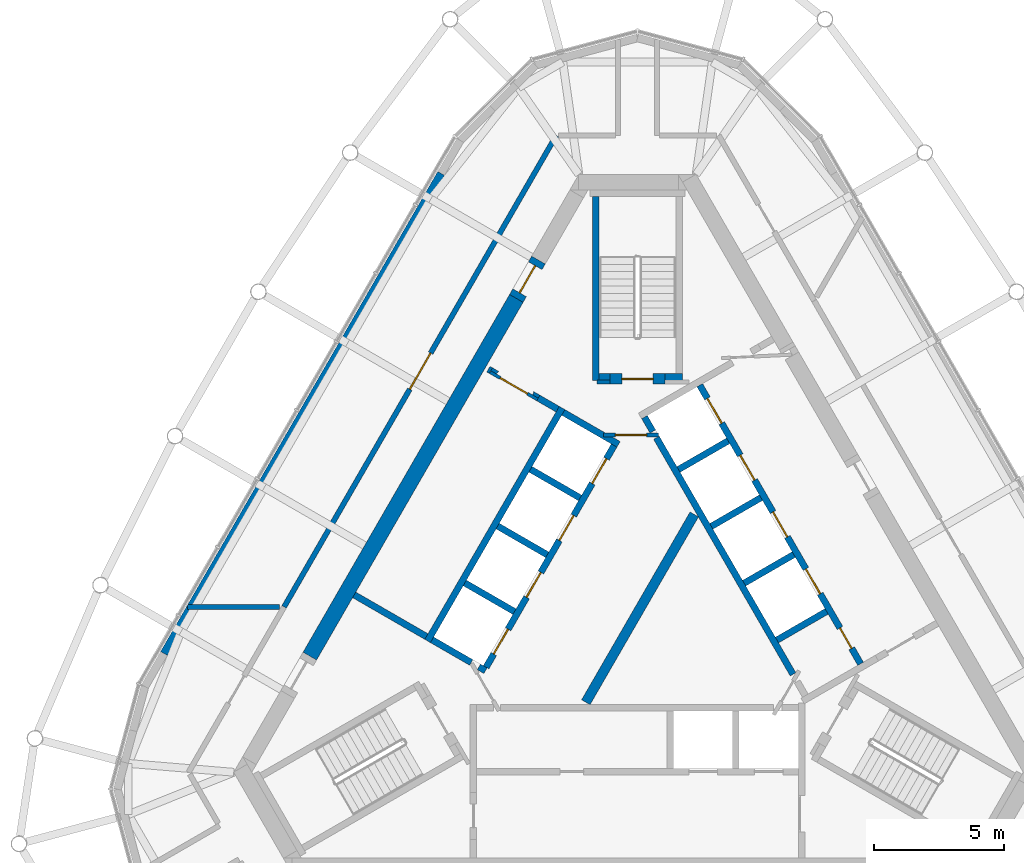
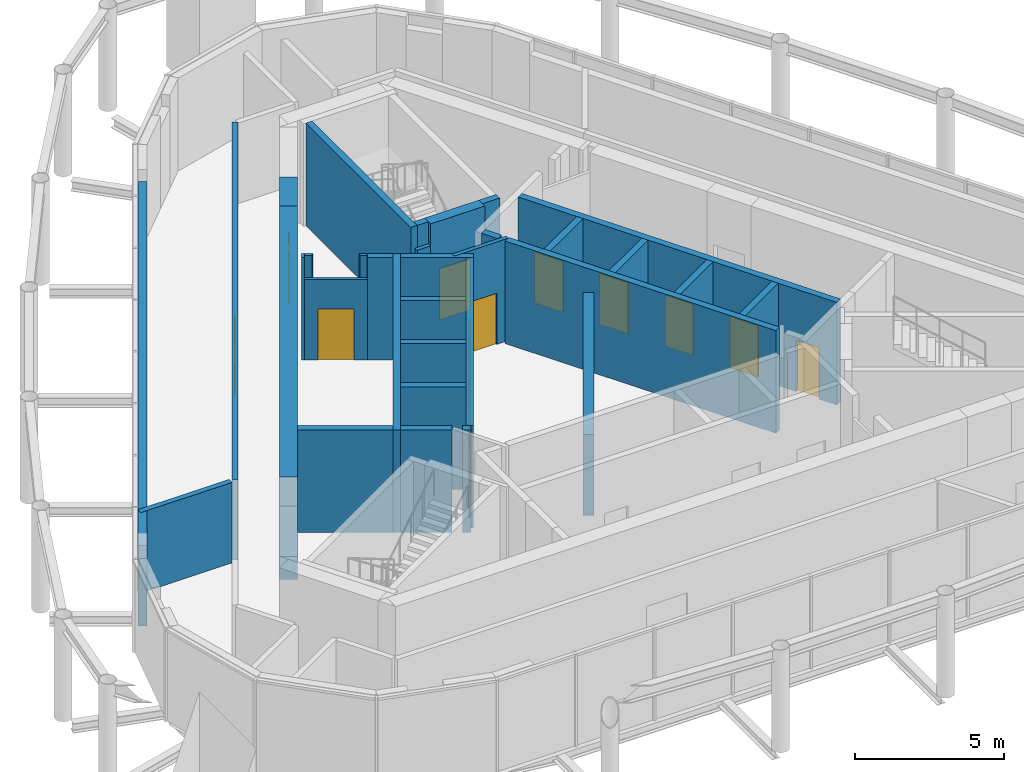
# One storey, part 8 of 11: 33 walls, 14 doors, 14 openings.
"""IFC4 building model written with IfcOpenShell, lengths in metres."""

from ifc_helpers import new_model, si_unit, direction, frame, frame_2d, origin, place, context, subcontext, project, spatial, polyline, rectangle, outline, extrude, material, layer, layer_set, type_object, element, fill, save


model = new_model("IFC4")

# Units and contexts
model_context = context("Model", 3, precision=1e-05, world=origin(), true_north=direction((0.0, 1.0)))
body_context = subcontext(model_context, "Body", "Model", "MODEL_VIEW")
ifc_project = project(units=[si_unit("LENGTHUNIT", "METRE"), si_unit("AREAUNIT", "SQUARE_METRE"), si_unit("VOLUMEUNIT", "CUBIC_METRE"), si_unit("PLANEANGLEUNIT", "RADIAN"), si_unit("MASSUNIT", "GRAM", prefix="KILO")], contexts=[model_context])

# Site, building, storey
site_placement = place(None, origin())
site = spatial("IfcSite", under=ifc_project, at=site_placement, CompositionType="ELEMENT")
building_placement = place(site_placement, origin())
building = spatial("IfcBuilding", under=site, at=building_placement, Name="Mestral Congress Tower", CompositionType="ELEMENT")
storey_placement = place(building_placement, frame((0.0, 0.0, 344.39990234375)))
storey = spatial("IfcBuildingStorey", under=building, at=storey_placement, Name="L80", CompositionType="ELEMENT", Elevation=344.39990234375)

# Walls
ifc_material_1 = material(Name="Fire-rated board partition")
ifc_layer_1 = layer(ifc_material_1, 0.14990234375)
ifc_layer_set_1 = layer_set([ifc_layer_1], Name="Fire-rated board partition")
wall_type_1 = type_object("IfcWallType", Name="Core partition 150", PredefinedType="PARTITIONING", material=ifc_layer_set_1)
wall_1_placement = place(storey_placement, frame((-1.56396484375, 8.62548828125, 0.0), z_axis=(0.0, 0.0, 1.0), x_axis=(1.0, 0.0, 0.0)))
element("IfcWall", 1, at=wall_1_placement, inside=storey, type_object=wall_type_1, Name="L80 core wall", PredefinedType="PARTITIONING", context=body_context, shape_type="SweptSolid", body=[
    extrude(rectangle(XDim=0.513916015625, YDim=0.14990234375, at=frame_2d((0.2568359375, 0.0))), origin(), (0.0, 0.0, 1.0), 3.300048828125),
])
placement = place(storey_placement, origin())
element("IfcWall", 2, at=placement, inside=storey, type_object=wall_type_1, Name="L80 core wall", PredefinedType="PARTITIONING", context=body_context, shape_type="SweptSolid", body=[
    extrude(outline(polyline([(2.016845703125, 3.64306640625), (2.341552734375, 3.45556640625), (-1.822021484375, -3.755615234375), (-2.146728515625, -3.568115234375), (2.016845703125, 3.64306640625)])), origin(), (0.0, 0.0, 1.0), 3.300048828125),
])

# Wall, opening, door
ifc_layer_2 = layer(ifc_material_1, 0.1201171875)
ifc_layer_set_2 = layer_set([ifc_layer_2], Name="Fire-rated board partition")
wall_type_2 = type_object("IfcWallType", Name="Core partition 150 door-wall 120", PredefinedType="PARTITIONING", material=ifc_layer_set_2)
wall_3_placement = place(storey_placement, frame((-5.65869140625, 9.01171875, 0.0), z_axis=(0.0, 0.0, 1.0), x_axis=(0.866009402589, -0.500027713859, 0.0)))
wall_3 = element("IfcWall", 3, at=wall_3_placement, inside=storey, type_object=wall_type_2, Name="L80 door wall", PredefinedType="PARTITIONING", context=body_context, shape_type="SweptSolid", body=[
    extrude(rectangle(XDim=2.10009765625, YDim=0.1201171875, at=frame_2d((1.050048828125, 0.0))), origin(), (0.0, 0.0, 1.0), 3.300048828125),
])
opening_1_placement = place(wall_3_placement, frame((0.449951171875, 0.0, 0.0)))
opening_1 = element("IfcOpeningElement", 4, at=opening_1_placement, cuts=wall_3, Name="Opening LB2-WL2", PredefinedType="OPENING", context=body_context, shape_type="SweptSolid", body=[
    extrude(rectangle(XDim=1.199951171875, YDim=2.10009765625, at=frame_2d((0.60009765625, 1.050048828125))), frame((0.0, 0.070068359375, 0.0), z_axis=(0.0, -1.0, 0.0), x_axis=(1.0, 0.0, 0.0)), (0.0, 0.0, 1.0), 0.14013671875),
])
ifc_material_2 = material(Name="Fire-rated steel door set", Category="steel")
door_type_1 = type_object("IfcDoorType", Name="Core door LB 1200x2100", OperationType="SINGLE_SWING_LEFT", PredefinedType="DOOR", material=ifc_material_2)
door_1_placement = place(opening_1_placement, origin())
door_1 = element("IfcDoor", 5, at=door_1_placement, inside=storey, type_object=door_type_1, Name="Door LB2-WL2", OperationType="SINGLE_SWING_LEFT", OverallHeight=2.10009765625, OverallWidth=1.199951171875, PredefinedType="DOOR", context=body_context, shape_type="SweptSolid", body=[
    extrude(rectangle(XDim=1.199951171875, YDim=2.10009765625, at=frame_2d((0.60009765625, 1.050048828125))), frame((0.0, 0.02490234375, 0.0), z_axis=(0.0, -1.0, 0.0), x_axis=(1.0, 0.0, 0.0)), (0.0, 0.0, 1.0), 0.050048828125),
])
fill(opening_1, door_1)

# Wall
ifc_material_3 = material(Name="Concrete C60/75", Category="concrete")
ifc_layer_3 = layer(ifc_material_3, 0.60009765625)
ifc_layer_set_3 = layer_set([ifc_layer_3], Name="Concrete C60/75")
wall_type_3 = type_object("IfcWallType", Name="Core wall RC 600", PredefinedType="SOLIDWALL", material=ifc_layer_set_3)
wall_4_placement = place(storey_placement, frame((-4.65234375, 11.841796875, 0.0), z_axis=(0.0, 0.0, 1.0), x_axis=(-0.500003640647, -0.866023301845, 0.0)))
element("IfcWall", 6, at=wall_4_placement, inside=storey, type_object=wall_type_3, Name="L80 core wall", PredefinedType="SOLIDWALL", context=body_context, shape_type="SweptSolid", body=[
    extrude(rectangle(XDim=15.8583984375, YDim=0.60009765625, at=frame_2d((7.92919921875, 0.0))), origin(), (0.0, 0.0, 1.0), 4.2001953125),
])

# Wall, opening, door
wall_5_placement = place(storey_placement, frame((-4.65234375, 11.842041015625, 0.0), z_axis=(0.0, 0.0, 1.0), x_axis=(0.500062241894, 0.865989465428, 0.0)))
wall_5 = element("IfcWall", 7, at=wall_5_placement, inside=storey, type_object=wall_type_3, Name="L80 door wall", PredefinedType="SOLIDWALL", context=body_context, shape_type="SweptSolid", body=[
    extrude(rectangle(XDim=1.699951171875, YDim=0.60009765625, at=frame_2d((0.85009765625, 0.0))), origin(), (0.0, 0.0, 1.0), 4.2001953125),
])
opening_2_placement = place(wall_5_placement, frame((0.25, 0.0, 0.0)))
opening_2 = element("IfcOpeningElement", 8, at=opening_2_placement, cuts=wall_5, Name="Opening XD2", PredefinedType="OPENING", context=body_context, shape_type="SweptSolid", body=[
    extrude(rectangle(XDim=1.199951171875, YDim=2.10009765625, at=frame_2d((0.60009765625, 1.050048828125))), frame((0.0, 0.31005859375, 0.0), z_axis=(0.0, -1.0, 0.0), x_axis=(1.0, 0.0, 0.0)), (0.0, 0.0, 1.0), 0.6201171875),
])
door_type_2 = type_object("IfcDoorType", Name="Core door XD 1200x2100", OperationType="SINGLE_SWING_LEFT", PredefinedType="DOOR", material=ifc_material_2)
door_2_placement = place(opening_2_placement, origin())
door_2 = element("IfcDoor", 9, at=door_2_placement, inside=storey, type_object=door_type_2, Name="Door XD2", OperationType="SINGLE_SWING_LEFT", OverallHeight=2.10009765625, OverallWidth=1.199951171875, PredefinedType="DOOR", context=body_context, shape_type="SweptSolid", body=[
    extrude(rectangle(XDim=1.199951171875, YDim=2.10009765625, at=frame_2d((0.60009765625, 1.050048828125))), frame((0.0, 0.02490234375, 0.0), z_axis=(0.0, -1.0, 0.0), x_axis=(1.0, 0.0, 0.0)), (0.0, 0.0, 1.0), 0.050048828125),
])
fill(opening_2, door_2)

# Walls
ifc_material_4 = material(Name="Precast concrete C40/50 with limestone facing", Category="masonry")
ifc_layer_4 = layer(ifc_material_4, 0.300048828125)
ifc_layer_set_4 = layer_set([ifc_layer_4], Name="Precast concrete C40/50 with limestone facing")
wall_type_4 = type_object("IfcWallType", Name="Crown plant block wall 300 under girder", PredefinedType="SOLIDWALL", material=ifc_layer_set_4)
wall_6_placement = place(storey_placement, frame((-7.5400390625, 16.64013671875, 0.0), z_axis=(0.0, 0.0, 1.0), x_axis=(-0.500002158106, -0.866024157798, 0.0)))
element("IfcWall", 10, at=wall_6_placement, inside=storey, type_object=wall_type_4, Name="Plant block wall 10", PredefinedType="SOLIDWALL", context=body_context, shape_type="SweptSolid", body=[
    extrude(rectangle(XDim=21.28173828125, YDim=0.300048828125, at=frame_2d((10.640869140625, 0.0))), origin(), (0.0, 0.0, 1.0), 3.300048828125),
])
ifc_layer_5 = layer(ifc_material_3, 0.25)
ifc_layer_set_5 = layer_set([ifc_layer_5], Name="Concrete C60/75")
wall_type_5 = type_object("IfcWallType", Name="Shaft wall RC 250", PredefinedType="SOLIDWALL", material=ifc_layer_set_5)
wall_7_placement = place(storey_placement, frame((0.268310546875, 7.28515625, 0.0), z_axis=(0.0, 0.0, 1.0), x_axis=(0.500098681536, -0.865968422476, 0.0)))
element("IfcWall", 11, at=wall_7_placement, inside=storey, type_object=wall_type_5, Name="L80 core wall", PredefinedType="SOLIDWALL", context=body_context, shape_type="SweptSolid", body=[
    extrude(rectangle(XDim=0.636474609375, YDim=0.25, at=frame_2d((0.318359375, 0.0))), origin(), (0.0, 0.0, 1.0), 4.2001953125),
])
wall_8_placement = place(storey_placement, frame((5.970458984375, -2.591064453125, 0.0), z_axis=(0.0, 0.0, 1.0), x_axis=(-0.499994469932, 0.866028596547, 0.0)))
element("IfcWall", 12, at=wall_8_placement, inside=storey, type_object=wall_type_5, Name="L80 core wall", PredefinedType="SOLIDWALL", context=body_context, shape_type="SweptSolid", body=[
    extrude(rectangle(XDim=10.48828125, YDim=0.25, at=frame_2d((5.244140625, 0.0))), origin(), (0.0, 0.0, 1.0), 4.2001953125),
])
wall_9_placement = place(storey_placement, frame((1.57421875, 5.273681640625, 0.0), z_axis=(0.0, 0.0, 1.0), x_axis=(0.866028486751, 0.499994660107, 0.0)))
element("IfcWall", 13, at=wall_9_placement, inside=storey, type_object=wall_type_5, Name="L80 core wall", PredefinedType="SOLIDWALL", context=body_context, shape_type="SweptSolid", body=[
    extrude(rectangle(XDim=2.19970703125, YDim=0.25, at=frame_2d((1.099853515625, 0.0))), origin(), (0.0, 0.0, 1.0), 4.2001953125),
])
for number, where, z_axis, x_axis, name in (
    (14, (2.833984375, 3.091064453125, 0.0), (0.0, 0.0, 1.0), (0.866008176907, 0.50002983664, 0.0), "L80 core wall"),
    (15, (4.093994140625, 0.90869140625, 0.0), (0.0, 0.0, 1.0), (0.866008176907, 0.50002983664, 0.0), "L80 core wall"),
    (16, (5.35400390625, -1.273681640625, 0.0), (0.0, 0.0, 1.0), (0.866008176907, 0.50002983664, 0.0), "L80 core wall"),
):
    element("IfcWall", number, at=place(storey_placement, frame(where, z_axis=z_axis, x_axis=x_axis)), inside=storey, type_object=wall_type_5, Name=name, PredefinedType="SOLIDWALL", context=body_context, shape_type="SweptSolid", body=[
        extrude(rectangle(XDim=2.199951171875, YDim=0.25, at=frame_2d((1.10009765625, 0.0))), origin(), (0.0, 0.0, 1.0), 4.2001953125),
    ])
wall_10_placement = place(storey_placement, frame((-8.06005859375, -1.310546875, 0.0), z_axis=(0.0, 0.0, 1.0), x_axis=(0.50000273126, 0.866023826885, 0.0)))
element("IfcWall", 17, at=wall_10_placement, inside=storey, type_object=wall_type_5, Name="L80 core wall", PredefinedType="SOLIDWALL", context=body_context, shape_type="SweptSolid", body=[
    extrude(rectangle(XDim=10.330078125, YDim=0.25, at=frame_2d((5.1650390625, 0.0))), origin(), (0.0, 0.0, 1.0), 4.2001953125),
])
element("IfcWall", 18, at=placement, inside=storey, type_object=wall_type_5, Name="L80 core wall", PredefinedType="SOLIDWALL", context=body_context, shape_type="SweptSolid", body=[
    extrude(outline(polyline([(-2.911865234375, 7.3564453125), (-2.786865234375, 7.572998046875), (-1.231689453125, 6.675048828125), (-1.303466796875, 6.675048828125), (-1.3037109375, 6.675048828125), (-1.3037109375, 6.675048828125), (-1.3037109375, 6.52490234375), (-1.3037109375, 6.52490234375), (-1.303466796875, 6.52490234375), (-0.971435546875, 6.52490234375), (-0.6650390625, 6.347900390625), (-0.7900390625, 6.131591796875), (-1.006591796875, 6.256591796875), (-1.006591796875, 6.256591796875), (-2.911865234375, 7.3564453125)])), origin(), (0.0, 0.0, 1.0), 4.2001953125),
])
for number, where, z_axis, x_axis, name in (
    (19, (-2.2041015625, 4.182373046875, 0.0), (0.0, 0.0, 1.0), (-0.866008176907, 0.50002983664, 0.0), "L80 core wall"),
    (20, (-5.369384765625, 3.10009765625, 0.0), (0.0, 0.0, 1.0), (0.866008176907, -0.50002983664, 0.0), "L80 core wall"),
    (21, (-4.72412109375, -0.182373046875, 0.0), (0.0, 0.0, 1.0), (-0.866008176907, 0.50002983664, 0.0), "L80 core wall"),
):
    element("IfcWall", number, at=place(storey_placement, frame(where, z_axis=z_axis, x_axis=x_axis)), inside=storey, type_object=wall_type_5, Name=name, PredefinedType="SOLIDWALL", context=body_context, shape_type="SweptSolid", body=[
        extrude(rectangle(XDim=2.199951171875, YDim=0.25, at=frame_2d((1.10009765625, 0.0))), origin(), (0.0, 0.0, 1.0), 4.2001953125),
    ])
wall_12_placement = place(storey_placement, frame((-6.088134765625, -2.3046875, 0.0), z_axis=(0.0, 0.0, 1.0), x_axis=(0.866059450854, -0.499941024108, 0.0)))
element("IfcWall", 22, at=wall_12_placement, inside=storey, type_object=wall_type_5, Name="L80 core wall", PredefinedType="SOLIDWALL", context=body_context, shape_type="SweptSolid", body=[
    extrude(rectangle(XDim=0.2900390625, YDim=0.25, at=frame_2d((0.14501953125, 0.0))), origin(), (0.0, 0.0, 1.0), 4.2001953125),
])
wall_13_placement = place(storey_placement, frame((-7.889404296875, -1.2646484375, 0.0), z_axis=(0.0, 0.0, 1.0), x_axis=(0.865986741702, -0.500066958712, 0.0)))
element("IfcWall", 23, at=wall_13_placement, inside=storey, type_object=wall_type_5, Name="L80 core wall", PredefinedType="SOLIDWALL", context=body_context, shape_type="SweptSolid", body=[
    extrude(rectangle(XDim=1.738037109375, YDim=0.25, at=frame_2d((0.869140625, 0.0))), origin(), (0.0, 0.0, 1.0), 4.2001953125),
])
wall_14_placement = place(storey_placement, frame((-8.10595703125, -1.139892578125, 0.0), z_axis=(0.0, 0.0, 1.0), x_axis=(-0.866008981251, 0.500028443584, 0.0)))
element("IfcWall", 24, at=wall_14_placement, inside=storey, type_object=wall_type_5, Name="L80 core wall", PredefinedType="SOLIDWALL", context=body_context, shape_type="SweptSolid", body=[
    extrude(rectangle(XDim=3.199951171875, YDim=0.25, at=frame_2d((1.60009765625, 0.0))), origin(), (0.0, 0.0, 1.0), 4.2001953125),
])
wall_15_placement = place(storey_placement, frame((-5.724609375, 9.124755859375, 0.0), z_axis=(0.0, 0.0, 1.0), x_axis=(0.866185586049, -0.49972245349, 0.0)))
element("IfcWall", 25, at=wall_15_placement, inside=storey, type_object=wall_type_5, Name="L80 core wall", PredefinedType="SOLIDWALL", context=body_context, shape_type="SweptSolid", body=[
    extrude(rectangle(XDim=0.10986328125, YDim=0.25, at=frame_2d((0.054931640625, 0.0))), origin(), (0.0, 0.0, 1.0), 4.2001953125),
])
wall_16_placement = place(storey_placement, frame((-3.06591796875, 7.58984375, 0.0), z_axis=(0.0, 0.0, 1.0), x_axis=(-0.866081358704, 0.49990307071, 0.0)))
element("IfcWall", 26, at=wall_16_placement, inside=storey, type_object=wall_type_5, Name="L80 core wall", PredefinedType="SOLIDWALL", context=body_context, shape_type="SweptSolid", body=[
    extrude(rectangle(XDim=0.858154296875, YDim=0.25, at=frame_2d((0.42919921875, 0.0))), origin(), (0.0, 0.0, 1.0), 4.2001953125),
])
element("IfcWall", 27, at=placement, inside=storey, type_object=wall_type_5, Name="L80 core wall", PredefinedType="SOLIDWALL", context=body_context, shape_type="SweptSolid", body=[
    extrude(outline(polyline([(-3.748291015625, 8.1279296875), (-3.813232421875, 8.015380859375), (-4.026611328125, 8.138671875), (-4.0166015625, 8.156005859375), (-4.007568359375, 8.17333984375), (-4.000244140625, 8.191650390625), (-3.994873046875, 8.21044921875), (-3.991455078125, 8.229736328125), (-3.98974609375, 8.24951171875), (-3.989990234375, 8.267578125), (-3.748291015625, 8.1279296875)])), origin(), (0.0, 0.0, 1.0), 4.2001953125),
])
element("IfcWall", 28, at=placement, inside=storey, type_object=wall_type_5, Name="L80 core wall", PredefinedType="SOLIDWALL", context=body_context, shape_type="SweptSolid", body=[
    extrude(outline(polyline([(-5.688720703125, 8.959716796875), (-5.690185546875, 8.960693359375), (-5.565185546875, 9.177001953125), (-5.318603515625, 9.03466796875), (-5.334716796875, 9.02587890625), (-5.3505859375, 9.0146484375), (-5.36572265625, 9.001953125), (-5.37939453125, 8.98779296875), (-5.3916015625, 8.972412109375), (-5.402099609375, 8.955810546875), (-5.412109375, 8.938720703125), (-5.628662109375, 9.063720703125), (-5.628662109375, 9.063720703125), (-5.688720703125, 8.959716796875)])), origin(), (0.0, 0.0, 1.0), 4.2001953125),
])

# Wall, openings, doors
wall_19_placement = place(storey_placement, frame((8.565185546875, -2.185302734375, 0.0), z_axis=(0.0, 0.0, 1.0), x_axis=(-0.499997954832, 0.866026584559, 0.0)))
wall_19 = element("IfcWall", 29, at=wall_19_placement, inside=storey, type_object=wall_type_5, Name="L80 door wall", PredefinedType="SOLIDWALL", context=body_context, shape_type="SweptSolid", body=[
    extrude(rectangle(XDim=12.35009765625, YDim=0.25, at=frame_2d((6.175048828125, 0.0))), origin(), (0.0, 0.0, 1.0), 4.2001953125),
])
opening_3_placement = place(wall_19_placement, frame((0.68505859375, 0.0, 0.0)))
opening_3 = element("IfcOpeningElement", 30, at=opening_3_placement, cuts=wall_19, Name="Opening SR-NEB1", PredefinedType="OPENING", context=body_context, shape_type="SweptSolid", body=[
    extrude(rectangle(XDim=0.89990234375, YDim=2.10009765625, at=frame_2d((0.449951171875, 1.050048828125))), frame((0.0, 0.135009765625, 0.0), z_axis=(0.0, -1.0, 0.0), x_axis=(1.0, 0.0, 0.0)), (0.0, 0.0, 1.0), 0.27001953125),
])
opening_4_placement = place(wall_19_placement, frame((3.10498046875, 0.0, 0.0)))
opening_4 = element("IfcOpeningElement", 31, at=opening_4_placement, cuts=wall_19, Name="Opening LD-NEB2", PredefinedType="OPENING", context=body_context, shape_type="SweptSolid", body=[
    extrude(rectangle(XDim=1.10009765625, YDim=2.10009765625, at=frame_2d((0.550048828125, 1.050048828125))), frame((0.0, 0.135009765625, 0.0), z_axis=(0.0, -1.0, 0.0), x_axis=(1.0, 0.0, 0.0)), (0.0, 0.0, 1.0), 0.27001953125),
])
opening_5_placement = place(wall_19_placement, frame((5.625, 0.0, 0.0)))
opening_5 = element("IfcOpeningElement", 32, at=opening_5_placement, cuts=wall_19, Name="Opening LD-NEB3", PredefinedType="OPENING", context=body_context, shape_type="SweptSolid", body=[
    extrude(rectangle(XDim=1.10009765625, YDim=2.10009765625, at=frame_2d((0.550048828125, 1.050048828125))), frame((0.0, 0.135009765625, 0.0), z_axis=(0.0, -1.0, 0.0), x_axis=(1.0, 0.0, 0.0)), (0.0, 0.0, 1.0), 0.27001953125),
])
opening_6_placement = place(wall_19_placement, frame((8.14501953125, 0.0, 0.0)))
opening_6 = element("IfcOpeningElement", 33, at=opening_6_placement, cuts=wall_19, Name="Opening LD-NEB4", PredefinedType="OPENING", context=body_context, shape_type="SweptSolid", body=[
    extrude(rectangle(XDim=1.10009765625, YDim=2.10009765625, at=frame_2d((0.550048828125, 1.050048828125))), frame((0.0, 0.135009765625, 0.0), z_axis=(0.0, -1.0, 0.0), x_axis=(1.0, 0.0, 0.0)), (0.0, 0.0, 1.0), 0.27001953125),
])
opening_7_placement = place(wall_19_placement, frame((10.6650390625, 0.0, 0.0)))
opening_7 = element("IfcOpeningElement", 34, at=opening_7_placement, cuts=wall_19, Name="Opening LD-NEB5", PredefinedType="OPENING", context=body_context, shape_type="SweptSolid", body=[
    extrude(rectangle(XDim=1.10009765625, YDim=2.10009765625, at=frame_2d((0.550048828125, 1.050048828125))), frame((0.0, 0.135009765625, 0.0), z_axis=(0.0, -1.0, 0.0), x_axis=(1.0, 0.0, 0.0)), (0.0, 0.0, 1.0), 0.27001953125),
])
door_type_3 = type_object("IfcDoorType", Name="Core door LD 1100x2100", OperationType="DOUBLE_DOOR_SLIDING", PredefinedType="DOOR", material=ifc_material_2)
door_3_placement = place(opening_4_placement, origin())
door_3 = element("IfcDoor", 35, at=door_3_placement, inside=storey, type_object=door_type_3, Name="Door LD-NEB2", OperationType="DOUBLE_DOOR_SLIDING", OverallHeight=2.10009765625, OverallWidth=1.10009765625, PredefinedType="DOOR", context=body_context, shape_type="SweptSolid", body=[
    extrude(rectangle(XDim=1.10009765625, YDim=2.10009765625, at=frame_2d((0.550048828125, 1.050048828125))), frame((0.0, 0.02490234375, 0.0), z_axis=(0.0, -1.0, 0.0), x_axis=(1.0, 0.0, 0.0)), (0.0, 0.0, 1.0), 0.050048828125),
])
fill(opening_4, door_3)
door_4_placement = place(opening_5_placement, origin())
door_4 = element("IfcDoor", 36, at=door_4_placement, inside=storey, type_object=door_type_3, Name="Door LD-NEB3", OperationType="DOUBLE_DOOR_SLIDING", OverallHeight=2.10009765625, OverallWidth=1.10009765625, PredefinedType="DOOR", context=body_context, shape_type="SweptSolid", body=[
    extrude(rectangle(XDim=1.10009765625, YDim=2.10009765625, at=frame_2d((0.550048828125, 1.050048828125))), frame((0.0, 0.02490234375, 0.0), z_axis=(0.0, -1.0, 0.0), x_axis=(1.0, 0.0, 0.0)), (0.0, 0.0, 1.0), 0.050048828125),
])
fill(opening_5, door_4)
door_5_placement = place(opening_6_placement, origin())
door_5 = element("IfcDoor", 37, at=door_5_placement, inside=storey, type_object=door_type_3, Name="Door LD-NEB4", OperationType="DOUBLE_DOOR_SLIDING", OverallHeight=2.10009765625, OverallWidth=1.10009765625, PredefinedType="DOOR", context=body_context, shape_type="SweptSolid", body=[
    extrude(rectangle(XDim=1.10009765625, YDim=2.10009765625, at=frame_2d((0.550048828125, 1.050048828125))), frame((0.0, 0.02490234375, 0.0), z_axis=(0.0, -1.0, 0.0), x_axis=(1.0, 0.0, 0.0)), (0.0, 0.0, 1.0), 0.050048828125),
])
fill(opening_6, door_5)
door_6_placement = place(opening_7_placement, origin())
door_6 = element("IfcDoor", 38, at=door_6_placement, inside=storey, type_object=door_type_3, Name="Door LD-NEB5", OperationType="DOUBLE_DOOR_SLIDING", OverallHeight=2.10009765625, OverallWidth=1.10009765625, PredefinedType="DOOR", context=body_context, shape_type="SweptSolid", body=[
    extrude(rectangle(XDim=1.10009765625, YDim=2.10009765625, at=frame_2d((0.550048828125, 1.050048828125))), frame((0.0, 0.02490234375, 0.0), z_axis=(0.0, -1.0, 0.0), x_axis=(1.0, 0.0, 0.0)), (0.0, 0.0, 1.0), 0.050048828125),
])
fill(opening_7, door_6)
door_type_4 = type_object("IfcDoorType", Name="Core door SR 900x2100", OperationType="SINGLE_SWING_LEFT", PredefinedType="DOOR", material=ifc_material_2)
door_7_placement = place(opening_3_placement, origin())
door_7 = element("IfcDoor", 39, at=door_7_placement, inside=storey, type_object=door_type_4, Name="Door SR-NEB1", OperationType="SINGLE_SWING_LEFT", OverallHeight=2.10009765625, OverallWidth=0.89990234375, PredefinedType="DOOR", context=body_context, shape_type="SweptSolid", body=[
    extrude(rectangle(XDim=0.89990234375, YDim=2.10009765625, at=frame_2d((0.449951171875, 1.050048828125))), frame((0.0, 0.02490234375, 0.0), z_axis=(0.0, -1.0, 0.0), x_axis=(1.0, 0.0, 0.0)), (0.0, 0.0, 1.0), 0.050048828125),
])
fill(opening_3, door_7)

wall_20_placement = place(storey_placement, frame((-0.898193359375, 6.194091796875, 0.0), z_axis=(0.0, 0.0, 1.0), x_axis=(-0.499996202215, -0.866027596426, 0.0)))
wall_20 = element("IfcWall", 40, at=wall_20_placement, inside=storey, type_object=wall_type_5, Name="L80 door wall", PredefinedType="SOLIDWALL", context=body_context, shape_type="SweptSolid", body=[
    extrude(rectangle(XDim=9.830078125, YDim=0.25, at=frame_2d((4.9150390625, 0.0))), origin(), (0.0, 0.0, 1.0), 4.2001953125),
])
opening_8_placement = place(wall_20_placement, frame((0.5849609375, 0.0, 0.0)))
opening_8 = element("IfcOpeningElement", 41, at=opening_8_placement, cuts=wall_20, Name="Opening LD-NWB1", PredefinedType="OPENING", context=body_context, shape_type="SweptSolid", body=[
    extrude(rectangle(XDim=1.10009765625, YDim=2.10009765625, at=frame_2d((0.550048828125, 1.050048828125))), frame((0.0, 0.135009765625, 0.0), z_axis=(0.0, -1.0, 0.0), x_axis=(1.0, 0.0, 0.0)), (0.0, 0.0, 1.0), 0.27001953125),
])
opening_9_placement = place(wall_20_placement, frame((3.10498046875, 0.0, 0.0)))
opening_9 = element("IfcOpeningElement", 42, at=opening_9_placement, cuts=wall_20, Name="Opening LD-NWB2", PredefinedType="OPENING", context=body_context, shape_type="SweptSolid", body=[
    extrude(rectangle(XDim=1.10009765625, YDim=2.10009765625, at=frame_2d((0.550048828125, 1.050048828125))), frame((0.0, 0.135009765625, 0.0), z_axis=(0.0, -1.0, 0.0), x_axis=(1.0, 0.0, 0.0)), (0.0, 0.0, 1.0), 0.27001953125),
])
opening_10_placement = place(wall_20_placement, frame((5.625, 0.0, 0.0)))
opening_10 = element("IfcOpeningElement", 43, at=opening_10_placement, cuts=wall_20, Name="Opening LD-NWB3", PredefinedType="OPENING", context=body_context, shape_type="SweptSolid", body=[
    extrude(rectangle(XDim=1.10009765625, YDim=2.10009765625, at=frame_2d((0.550048828125, 1.050048828125))), frame((0.0, 0.135009765625, 0.0), z_axis=(0.0, -1.0, 0.0), x_axis=(1.0, 0.0, 0.0)), (0.0, 0.0, 1.0), 0.27001953125),
])
opening_11_placement = place(wall_20_placement, frame((8.14501953125, 0.0, 0.0)))
opening_11 = element("IfcOpeningElement", 44, at=opening_11_placement, cuts=wall_20, Name="Opening LD-NWB4", PredefinedType="OPENING", context=body_context, shape_type="SweptSolid", body=[
    extrude(rectangle(XDim=1.10009765625, YDim=2.10009765625, at=frame_2d((0.550048828125, 1.050048828125))), frame((0.0, 0.135009765625, 0.0), z_axis=(0.0, -1.0, 0.0), x_axis=(1.0, 0.0, 0.0)), (0.0, 0.0, 1.0), 0.27001953125),
])
door_8_placement = place(opening_8_placement, origin())
door_8 = element("IfcDoor", 45, at=door_8_placement, inside=storey, type_object=door_type_3, Name="Door LD-NWB1", OperationType="DOUBLE_DOOR_SLIDING", OverallHeight=2.10009765625, OverallWidth=1.10009765625, PredefinedType="DOOR", context=body_context, shape_type="SweptSolid", body=[
    extrude(rectangle(XDim=1.10009765625, YDim=2.10009765625, at=frame_2d((0.550048828125, 1.050048828125))), frame((0.0, 0.02490234375, 0.0), z_axis=(0.0, -1.0, 0.0), x_axis=(1.0, 0.0, 0.0)), (0.0, 0.0, 1.0), 0.050048828125),
])
fill(opening_8, door_8)
door_9_placement = place(opening_9_placement, origin())
door_9 = element("IfcDoor", 46, at=door_9_placement, inside=storey, type_object=door_type_3, Name="Door LD-NWB2", OperationType="DOUBLE_DOOR_SLIDING", OverallHeight=2.10009765625, OverallWidth=1.10009765625, PredefinedType="DOOR", context=body_context, shape_type="SweptSolid", body=[
    extrude(rectangle(XDim=1.10009765625, YDim=2.10009765625, at=frame_2d((0.550048828125, 1.050048828125))), frame((0.0, 0.02490234375, 0.0), z_axis=(0.0, -1.0, 0.0), x_axis=(1.0, 0.0, 0.0)), (0.0, 0.0, 1.0), 0.050048828125),
])
fill(opening_9, door_9)
door_10_placement = place(opening_10_placement, origin())
door_10 = element("IfcDoor", 47, at=door_10_placement, inside=storey, type_object=door_type_3, Name="Door LD-NWB3", OperationType="DOUBLE_DOOR_SLIDING", OverallHeight=2.10009765625, OverallWidth=1.10009765625, PredefinedType="DOOR", context=body_context, shape_type="SweptSolid", body=[
    extrude(rectangle(XDim=1.10009765625, YDim=2.10009765625, at=frame_2d((0.550048828125, 1.050048828125))), frame((0.0, 0.02490234375, 0.0), z_axis=(0.0, -1.0, 0.0), x_axis=(1.0, 0.0, 0.0)), (0.0, 0.0, 1.0), 0.050048828125),
])
fill(opening_10, door_10)
door_11_placement = place(opening_11_placement, origin())
door_11 = element("IfcDoor", 48, at=door_11_placement, inside=storey, type_object=door_type_3, Name="Door LD-NWB4", OperationType="DOUBLE_DOOR_SLIDING", OverallHeight=2.10009765625, OverallWidth=1.10009765625, PredefinedType="DOOR", context=body_context, shape_type="SweptSolid", body=[
    extrude(rectangle(XDim=1.10009765625, YDim=2.10009765625, at=frame_2d((0.550048828125, 1.050048828125))), frame((0.0, 0.02490234375, 0.0), z_axis=(0.0, -1.0, 0.0), x_axis=(1.0, 0.0, 0.0)), (0.0, 0.0, 1.0), 0.050048828125),
])
fill(opening_11, door_11)

# Wall, opening, door
ifc_layer_6 = layer(ifc_material_3, 0.14990234375)
ifc_layer_set_6 = layer_set([ifc_layer_6], Name="Concrete C60/75")
wall_type_6 = type_object("IfcWallType", Name="Shaft wall RC 250 door-wall 150", PredefinedType="SOLIDWALL", material=ifc_layer_set_6)
wall_21_placement = place(storey_placement, frame((-1.303466796875, 6.60009765625, 0.0), z_axis=(0.0, 0.0, 1.0), x_axis=(1.0, 0.0, 0.0)))
wall_21 = element("IfcWall", 49, at=wall_21_placement, inside=storey, type_object=wall_type_6, Name="L80 door wall", PredefinedType="PARTITIONING", context=body_context, shape_type="SweptSolid", body=[
    extrude(rectangle(XDim=2.099853515625, YDim=0.14990234375, at=frame_2d((1.0498046875, 0.0))), origin(), (0.0, 0.0, 1.0), 4.2001953125),
])
opening_12_placement = place(wall_21_placement, frame((0.449951171875, 0.0, 0.0)))
opening_12 = element("IfcOpeningElement", 50, at=opening_12_placement, cuts=wall_21, Name="Opening CD2-FF", PredefinedType="OPENING", context=body_context, shape_type="SweptSolid", body=[
    extrude(rectangle(XDim=1.199951171875, YDim=2.10009765625, at=frame_2d((0.60009765625, 1.050048828125))), frame((0.0, 0.0849609375, 0.0), z_axis=(0.0, -1.0, 0.0), x_axis=(1.0, 0.0, 0.0)), (0.0, 0.0, 1.0), 0.169921875),
])
door_type_5 = type_object("IfcDoorType", Name="Core door CD 1200x2100", OperationType="SINGLE_SWING_LEFT", PredefinedType="DOOR", material=ifc_material_2)
door_12_placement = place(opening_12_placement, origin())
door_12 = element("IfcDoor", 51, at=door_12_placement, inside=storey, type_object=door_type_5, Name="Door CD2-FF", OperationType="SINGLE_SWING_LEFT", OverallHeight=2.10009765625, OverallWidth=1.199951171875, PredefinedType="DOOR", context=body_context, shape_type="SweptSolid", body=[
    extrude(rectangle(XDim=1.199951171875, YDim=2.10009765625, at=frame_2d((0.60009765625, 1.050048828125))), frame((0.0, 0.02490234375, 0.0), z_axis=(0.0, -1.0, 0.0), x_axis=(1.0, 0.0, 0.0)), (0.0, 0.0, 1.0), 0.050048828125),
])
fill(opening_12, door_12)

ifc_material_5 = material(Name="Concrete block wall, plastered", Category="concrete")
ifc_layer_7 = layer(ifc_material_5, 0.199951171875)
ifc_layer_set_7 = layer_set([ifc_layer_7], Name="Concrete block wall, plastered")
wall_type_7 = type_object("IfcWallType", Name="Special partition 200 EI 120", PredefinedType="PARTITIONING", material=ifc_layer_set_7)
wall_22_placement = place(storey_placement, frame((-3.11767578125, 18.10009765625, 0.0), z_axis=(0.0, 0.0, 1.0), x_axis=(-0.499998496574, -0.866026271786, 0.0)))
wall_22 = element("IfcWall", 52, at=wall_22_placement, inside=storey, type_object=wall_type_7, Name="Partition", PredefinedType="PARTITIONING", context=body_context, shape_type="SweptSolid", body=[
    extrude(rectangle(XDim=20.900390625, YDim=0.199951171875, at=frame_2d((10.4501953125, 0.0))), origin(), (0.0, 0.0, 1.0), 3.300048828125),
])
opening_13_placement = place(wall_22_placement, frame((9.650146484375, 0.0, 0.0)))
opening_13 = element("IfcOpeningElement", 53, at=opening_13_placement, cuts=wall_22, Name="Opening K80-006", PredefinedType="OPENING", context=body_context, shape_type="SweptSolid", body=[
    extrude(rectangle(XDim=1.60009765625, YDim=2.10009765625, at=frame_2d((0.800048828125, 1.050048828125))), frame((0.0, 0.10986328125, 0.0), z_axis=(0.0, -1.0, 0.0), x_axis=(1.0, 0.0, 0.0)), (0.0, 0.0, 1.0), 0.219970703125),
])
door_type_6 = type_object("IfcDoorType", Name="Plant room double door 1600x2100", OperationType="DOUBLE_DOOR_SINGLE_SWING", PredefinedType="DOOR", material=ifc_material_2)
door_13_placement = place(opening_13_placement, origin())
door_13 = element("IfcDoor", 54, at=door_13_placement, inside=storey, type_object=door_type_6, Name="Door K80-006", OperationType="DOUBLE_DOOR_SINGLE_SWING", OverallHeight=2.10009765625, OverallWidth=1.60009765625, PredefinedType="DOOR", context=body_context, shape_type="SweptSolid", body=[
    extrude(rectangle(XDim=1.60009765625, YDim=2.10009765625, at=frame_2d((0.800048828125, 1.050048828125))), frame((0.0, 0.02490234375, 0.0), z_axis=(0.0, -1.0, 0.0), x_axis=(1.0, 0.0, 0.0)), (0.0, 0.0, 1.0), 0.050048828125),
])
fill(opening_13, door_13)

# Walls
wall_23_placement = place(storey_placement, frame((-17.274169921875, 0.0, 0.0), z_axis=(0.0, 0.0, 1.0), x_axis=(1.0, 0.0, 0.0)))
element("IfcWall", 55, at=wall_23_placement, inside=storey, type_object=wall_type_7, Name="Partition", PredefinedType="PARTITIONING", context=body_context, shape_type="SweptSolid", body=[
    extrude(rectangle(XDim=3.536376953125, YDim=0.199951171875, at=frame_2d((1.76806640625, 0.0))), origin(), (0.0, 0.0, 1.0), 3.300048828125),
])
ifc_layer_8 = layer(ifc_material_3, 0.25)
ifc_layer_set_8 = layer_set([ifc_layer_8], Name="Concrete C60/75")
wall_type_8 = type_object("IfcWallType", Name="Stair wall RC 250", PredefinedType="SOLIDWALL", material=ifc_layer_set_8)
wall_24_placement = place(storey_placement, frame((1.050048828125, 8.824951171875, 0.0), z_axis=(0.0, 0.0, 1.0), x_axis=(1.0, 0.0, 0.0)))
element("IfcWall", 56, at=wall_24_placement, inside=storey, type_object=wall_type_8, Name="L80 core wall", PredefinedType="SOLIDWALL", context=body_context, shape_type="SweptSolid", body=[
    extrude(rectangle(XDim=0.675048828125, YDim=0.25, at=frame_2d((0.33740234375, 0.0))), origin(), (0.0, 0.0, 1.0), 4.2001953125),
])
wall_25_placement = place(storey_placement, frame((-1.60009765625, 8.699951171875, 0.0), z_axis=(0.0, 0.0, 1.0), x_axis=(0.0, 1.0, 0.0)))
element("IfcWall", 57, at=wall_25_placement, inside=storey, type_object=wall_type_8, Name="L80 core wall", PredefinedType="SOLIDWALL", context=body_context, shape_type="SweptSolid", body=[
    extrude(rectangle(XDim=7.050048828125, YDim=0.25, at=frame_2d((3.52490234375, 0.0))), origin(), (0.0, 0.0, 1.0), 4.2001953125),
])
wall_26_placement = place(storey_placement, frame((-1.47509765625, 8.824951171875, 0.0), z_axis=(0.0, 0.0, 1.0), x_axis=(1.0, 0.0, 0.0)))
element("IfcWall", 58, at=wall_26_placement, inside=storey, type_object=wall_type_8, Name="L80 core wall", PredefinedType="SOLIDWALL", context=body_context, shape_type="SweptSolid", body=[
    extrude(rectangle(XDim=0.425048828125, YDim=0.25, at=frame_2d((0.21240234375, 0.0))), origin(), (0.0, 0.0, 1.0), 4.2001953125),
])

# Wall, opening, door
ifc_layer_9 = layer(ifc_material_3, 0.39990234375)
ifc_layer_set_9 = layer_set([ifc_layer_9], Name="Concrete C60/75")
wall_type_9 = type_object("IfcWallType", Name="Stair wall RC 250 door-wall 400", PredefinedType="SOLIDWALL", material=ifc_layer_set_9)
wall_27_placement = place(storey_placement, frame((1.050048828125, 8.75, 0.0), z_axis=(0.0, 0.0, 1.0), x_axis=(-1.0, 0.0, 0.0)))
wall_27 = element("IfcWall", 59, at=wall_27_placement, inside=storey, type_object=wall_type_9, Name="L80 door wall", PredefinedType="SOLIDWALL", context=body_context, shape_type="SweptSolid", body=[
    extrude(rectangle(XDim=2.10009765625, YDim=0.39990234375, at=frame_2d((1.050048828125, 0.0))), origin(), (0.0, 0.0, 1.0), 4.2001953125),
])
opening_14_placement = place(wall_27_placement, frame((0.449951171875, 0.0, 0.0)))
opening_14 = element("IfcOpeningElement", 60, at=opening_14_placement, cuts=wall_27, Name="Opening ST-D2", PredefinedType="OPENING", context=body_context, shape_type="SweptSolid", body=[
    extrude(rectangle(XDim=1.199951171875, YDim=2.10009765625, at=frame_2d((0.60009765625, 1.050048828125))), frame((0.0, 0.2099609375, 0.0), z_axis=(0.0, -1.0, 0.0), x_axis=(1.0, 0.0, 0.0)), (0.0, 0.0, 1.0), 0.419921875),
])
door_type_7 = type_object("IfcDoorType", Name="Core door ST 1200x2100", OperationType="SINGLE_SWING_LEFT", PredefinedType="DOOR", material=ifc_material_2)
door_14_placement = place(opening_14_placement, origin())
door_14 = element("IfcDoor", 61, at=door_14_placement, inside=storey, type_object=door_type_7, Name="Door ST-D2", OperationType="SINGLE_SWING_LEFT", OverallHeight=2.10009765625, OverallWidth=1.199951171875, PredefinedType="DOOR", context=body_context, shape_type="SweptSolid", body=[
    extrude(rectangle(XDim=1.199951171875, YDim=2.10009765625, at=frame_2d((0.60009765625, 1.050048828125))), frame((0.0, 0.02490234375, 0.0), z_axis=(0.0, -1.0, 0.0), x_axis=(1.0, 0.0, 0.0)), (0.0, 0.0, 1.0), 0.050048828125),
])
fill(opening_14, door_14)

save(model, "model.ifc")
